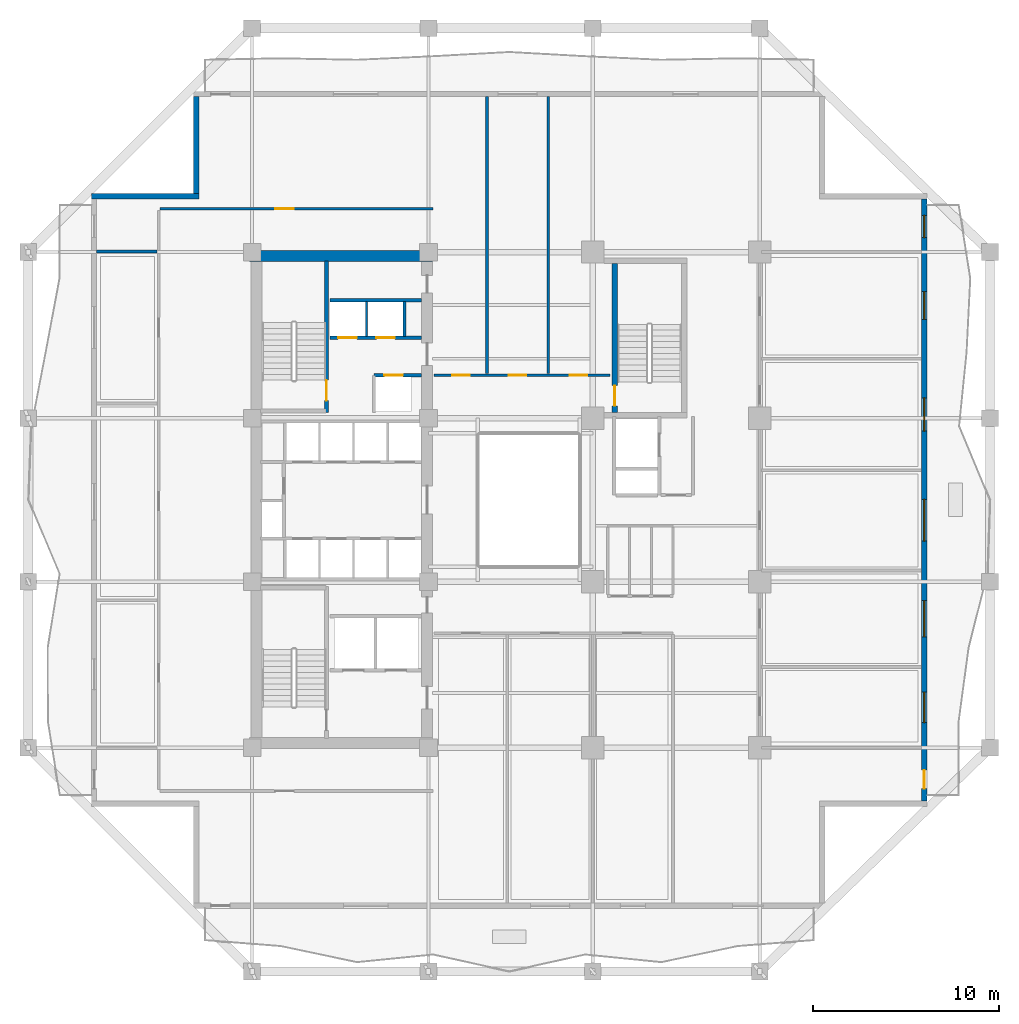
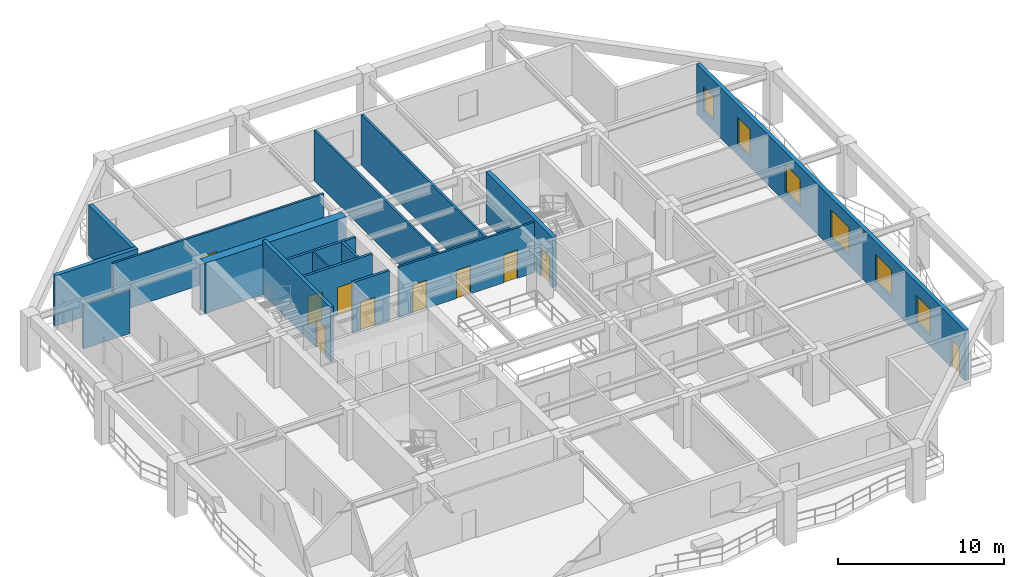
# One storey, part 5 of 13: 16 walls, 10 doors, 6 windows, 16 openings.
"""IFC4 building model written with IfcOpenShell, lengths in metres."""

from ifc_helpers import new_model, si_unit, direction, frame, frame_2d, origin, place, context, subcontext, project, spatial, rectangle, extrude, material, layer, layer_set, type_object, element, fill, save


model = new_model("IFC4")

# Units and contexts
model_context = context("Model", 3, precision=1e-05, world=origin(), true_north=direction((0.0, 1.0)))
body_context = subcontext(model_context, "Body", "Model", "MODEL_VIEW")
ifc_project = project(units=[si_unit("LENGTHUNIT", "METRE"), si_unit("AREAUNIT", "SQUARE_METRE"), si_unit("VOLUMEUNIT", "CUBIC_METRE"), si_unit("PLANEANGLEUNIT", "RADIAN"), si_unit("MASSUNIT", "GRAM", prefix="KILO")], contexts=[model_context])

# Site, building, storey
site_placement = place(None, origin())
site = spatial("IfcSite", under=ifc_project, at=site_placement, CompositionType="ELEMENT")
building_placement = place(site_placement, origin())
building = spatial("IfcBuilding", under=site, at=building_placement, Name="Kundavana Baori Tower", CompositionType="ELEMENT")
storey_placement = place(building_placement, frame((0.0, 0.0, 54.0)))
storey = spatial("IfcBuildingStorey", under=building, at=storey_placement, Name="L12", CompositionType="ELEMENT", Elevation=54.0)

# Wall, opening, door
ifc_material_1 = material(Name="Concrete C50/60", Category="concrete")
ifc_layer_1 = layer(ifc_material_1, 0.39990234375, Name="WL-CORE-400")
ifc_layer_set_1 = layer_set([ifc_layer_1], Name="Concrete C50/60")
wall_type_1 = type_object("IfcWallType", Name="WL-CORE-400", PredefinedType="SHEAR", material=ifc_layer_set_1)
wall_1_placement = place(storey_placement, frame((19.4599609375, 33.300048828125, 0.0), z_axis=(0.0, 0.0, 1.0), x_axis=(0.0, 1.0, 0.0)))
wall_1 = element("IfcWall", 1, at=wall_1_placement, inside=storey, type_object=wall_type_1, Name="WL-L12-ST2-E", PredefinedType="SHEAR", context=body_context, shape_type="SweptSolid", body=[
    extrude(rectangle(XDim=8.179931640625, YDim=0.239990234375, at=frame_2d((4.08984375, 0.0))), origin(), (0.0, 0.0, 1.0), 4.0),
])
opening_1_placement = place(wall_1_placement, frame((0.64990234375, 0.0, 0.0)))
opening_1 = element("IfcOpeningElement", 2, at=opening_1_placement, cuts=wall_1, Name="Opening FD-110", PredefinedType="OPENING", context=body_context, shape_type="SweptSolid", body=[
    extrude(rectangle(XDim=1.10009765625, YDim=2.10009765625, at=frame_2d((0.550048828125, 1.050048828125))), frame((0.0, 0.1298828125, 0.0), z_axis=(0.0, -1.0, 0.0), x_axis=(1.0, 0.0, 0.0)), (0.0, 0.0, 1.0), 0.260009765625),
])
ifc_material_2 = material(Name="Galvanised Steel Fire-Rated Door Leaf", Category="steel")
door_type_1 = type_object("IfcDoorType", Name="DR-FD120-1100", OperationType="NOTDEFINED", PredefinedType="DOOR", material=ifc_material_2)
door_1_placement = place(opening_1_placement, origin())
door_1 = element("IfcDoor", 3, at=door_1_placement, inside=storey, type_object=door_type_1, Name="DR-L12-ST2", OperationType="SINGLE_SWING_RIGHT", OverallHeight=2.10009765625, OverallWidth=1.10009765625, PredefinedType="DOOR", context=body_context, shape_type="SweptSolid", body=[
    extrude(rectangle(XDim=1.10009765625, YDim=2.10009765625, at=frame_2d((0.550048828125, 1.050048828125))), frame((0.0, 0.02490234375, 0.0), z_axis=(0.0, -1.0, 0.0), x_axis=(1.0, 0.0, 0.0)), (0.0, 0.0, 1.0), 0.050048828125),
])
fill(opening_1, door_1)

# Wall
ifc_material_3 = material(Name="Concrete C60/75", Category="concrete")
ifc_layer_2 = layer(ifc_material_3, 0.60009765625, Name="WL-CORE-600")
ifc_layer_set_2 = layer_set([ifc_layer_2], Name="Concrete C60/75")
wall_type_2 = type_object("IfcWallType", Name="WL-CORE-600", PredefinedType="SHEAR", material=ifc_layer_set_2)
wall_2_placement = place(storey_placement, frame((15.300048828125, 41.739990234375, 0.0), z_axis=(0.0, 0.0, 1.0), x_axis=(1.0, 0.0, 0.0)))
element("IfcWall", 4, at=wall_2_placement, inside=storey, type_object=wall_type_2, Name="L12 Offset Core North Shear Wall", PredefinedType="SHEAR", context=body_context, shape_type="SweptSolid", body=[
    extrude(rectangle(XDim=9.8798828125, YDim=0.60009765625, at=frame_2d((4.93994140625, 0.0))), origin(), (0.0, 0.0, 1.0), 3.719970703125),
])

# Wall, openings, door, windows
ifc_material_4 = material(Name="Red-Buff Dholpur Sandstone Cladding on Concrete C40/50", Category="masonry")
ifc_layer_3 = layer(ifc_material_4, 0.280029296875, Name="WL-EXT-SAND-280")
ifc_layer_set_3 = layer_set([ifc_layer_3], Name="Red-Buff Dholpur Sandstone Cladding on Concrete C40/50")
wall_type_3 = type_object("IfcWallType", Name="WL-EXT-SAND-280", PredefinedType="STANDARD", material=ifc_layer_set_3)
wall_3_placement = place(storey_placement, frame((51.659912109375, 12.3798828125, 0.0), z_axis=(0.0, 0.0, 1.0), x_axis=(0.0, 1.0, 0.0)))
wall_3 = element("IfcWall", 5, at=wall_3_placement, inside=storey, type_object=wall_type_3, Name="L12 Exterior Insulated Facade Wall 04", PredefinedType="STANDARD", context=body_context, shape_type="SweptSolid", body=[
    extrude(rectangle(XDim=32.440185546875, YDim=0.280029296875, at=frame_2d((16.22021484375, 0.0))), origin(), (0.0, 0.0, 1.0), 3.719970703125),
])
opening_2_placement = place(wall_3_placement, frame((0.669921875, 0.0, 0.0)))
opening_2 = element("IfcOpeningElement", 6, at=opening_2_placement, cuts=wall_3, Name="Opening BD-1", PredefinedType="OPENING", context=body_context, shape_type="SweptSolid", body=[
    extrude(rectangle(XDim=1.0, YDim=2.050048828125, at=frame_2d((0.5, 1.02490234375))), frame((0.0, 0.14990234375, 0.0), z_axis=(0.0, -1.0, 0.0), x_axis=(1.0, 0.0, 0.0)), (0.0, 0.0, 1.0), 0.300048828125),
])
opening_3_placement = place(wall_3_placement, frame((4.219970703125, 0.0, 0.800048828125)))
opening_3 = element("IfcOpeningElement", 7, at=opening_3_placement, cuts=wall_3, Name="Opening W-08", PredefinedType="OPENING", context=body_context, shape_type="SweptSolid", body=[
    extrude(rectangle(XDim=1.64990234375, YDim=1.949951171875, at=frame_2d((0.824951171875, 0.97509765625))), frame((0.0, 0.14990234375, 0.0), z_axis=(0.0, -1.0, 0.0), x_axis=(1.0, 0.0, 0.0)), (0.0, 0.0, 1.0), 0.300048828125),
])
opening_4_placement = place(wall_3_placement, frame((8.844970703125, 0.0, 0.800048828125)))
opening_4 = element("IfcOpeningElement", 8, at=opening_4_placement, cuts=wall_3, Name="Opening W-09", PredefinedType="OPENING", context=body_context, shape_type="SweptSolid", body=[
    extrude(rectangle(XDim=1.949951171875, YDim=2.0, at=frame_2d((0.97509765625, 1.0))), frame((0.0, 0.14990234375, 0.0), z_axis=(0.0, -1.0, 0.0), x_axis=(1.0, 0.0, 0.0)), (0.0, 0.0, 1.0), 0.300048828125),
])
opening_5_placement = place(wall_3_placement, frame((13.9951171875, 0.0, 0.800048828125)))
opening_5 = element("IfcOpeningElement", 9, at=opening_5_placement, cuts=wall_3, Name="Opening W-10", PredefinedType="OPENING", context=body_context, shape_type="SweptSolid", body=[
    extrude(rectangle(XDim=2.25, YDim=2.0, at=frame_2d((1.125, 1.0))), frame((0.0, 0.14990234375, 0.0), z_axis=(0.0, -1.0, 0.0), x_axis=(1.0, 0.0, 0.0)), (0.0, 0.0, 1.0), 0.300048828125),
])
opening_6_placement = place(wall_3_placement, frame((19.919921875, 0.0, 0.800048828125)))
opening_6 = element("IfcOpeningElement", 10, at=opening_6_placement, cuts=wall_3, Name="Opening W-01", PredefinedType="OPENING", context=body_context, shape_type="SweptSolid", body=[
    extrude(rectangle(XDim=1.800048828125, YDim=2.0, at=frame_2d((0.89990234375, 1.0))), frame((0.0, 0.14990234375, 0.0), z_axis=(0.0, -1.0, 0.0), x_axis=(1.0, 0.0, 0.0)), (0.0, 0.0, 1.0), 0.300048828125),
])
opening_7_placement = place(wall_3_placement, frame((25.945068359375, 0.0, 0.800048828125)))
opening_7 = element("IfcOpeningElement", 11, at=opening_7_placement, cuts=wall_3, Name="Opening W-02", PredefinedType="OPENING", context=body_context, shape_type="SweptSolid", body=[
    extrude(rectangle(XDim=1.5, YDim=2.0, at=frame_2d((0.75, 1.0))), frame((0.0, 0.14990234375, 0.0), z_axis=(0.0, -1.0, 0.0), x_axis=(1.0, 0.0, 0.0)), (0.0, 0.0, 1.0), 0.300048828125),
])
opening_8_placement = place(wall_3_placement, frame((30.35009765625, 0.0, 0.800048828125)))
opening_8 = element("IfcOpeningElement", 12, at=opening_8_placement, cuts=wall_3, Name="Opening W-03", PredefinedType="OPENING", context=body_context, shape_type="SweptSolid", body=[
    extrude(rectangle(XDim=1.199951171875, YDim=1.75, at=frame_2d((0.60009765625, 0.875))), frame((0.0, 0.14990234375, 0.0), z_axis=(0.0, -1.0, 0.0), x_axis=(1.0, 0.0, 0.0)), (0.0, 0.0, 1.0), 0.300048828125),
])
ifc_material_5 = material(Name="Architectural Patinated Bronze Metalwork")
door_type_2 = type_object("IfcDoorType", Name="DR-EXT-LOG-1000", OperationType="NOTDEFINED", PredefinedType="DOOR", material=ifc_material_5)
door_2_placement = place(opening_2_placement, frame((1.0, 0.0, 0.0), z_axis=(0.0, 0.0, 1.0), x_axis=(-1.0, 0.0, 0.0)))
door_2 = element("IfcDoor", 13, at=door_2_placement, inside=storey, type_object=door_type_2, Name="L12 Loggia Balcony Access Door E", OperationType="SINGLE_SWING_RIGHT", OverallHeight=2.050048828125, OverallWidth=1.0, PredefinedType="DOOR", context=body_context, shape_type="SweptSolid", body=[
    extrude(rectangle(XDim=1.0, YDim=2.050048828125, at=frame_2d((0.5, 1.02490234375))), frame((0.0, 0.02490234375, 0.0), z_axis=(0.0, -1.0, 0.0), x_axis=(1.0, 0.0, 0.0)), (0.0, 0.0, 1.0), 0.050048828125),
])
fill(opening_2, door_2)
ifc_material_6 = material(Name="Double-Glazed Solar-Control Low-E Insulated Glass", Category="glass")
window_type_1 = type_object("IfcWindowType", Name="WIN-LOG-1200x1750", PartitioningType="SINGLE_PANEL", PredefinedType="WINDOW", material=ifc_material_6)
window_1_placement = place(opening_8_placement, origin())
window_1 = element("IfcWindow", 14, at=window_1_placement, inside=storey, type_object=window_type_1, Name="L12 Recessed Loggia Window E-7", OverallHeight=1.75, OverallWidth=1.199951171875, PartitioningType="SINGLE_PANEL", PredefinedType="WINDOW", context=body_context, shape_type="SweptSolid", body=[
    extrude(rectangle(XDim=1.199951171875, YDim=1.75, at=frame_2d((0.60009765625, 0.875))), frame((0.0, 0.030029296875, 0.0), z_axis=(0.0, -1.0, 0.0), x_axis=(1.0, 0.0, 0.0)), (0.0, 0.0, 1.0), 0.06005859375),
])
fill(opening_8, window_1)
ifc_material_7 = material(Name="Double-Glazed Solar-Control Low-E Insulated Glass", Category="glass")
window_type_2 = type_object("IfcWindowType", Name="WIN-LOG-1500x2000", PartitioningType="SINGLE_PANEL", PredefinedType="WINDOW", material=ifc_material_7)
window_2_placement = place(opening_7_placement, origin())
window_2 = element("IfcWindow", 15, at=window_2_placement, inside=storey, type_object=window_type_2, Name="L12 Recessed Loggia Window E-6", OverallHeight=2.0, OverallWidth=1.5, PartitioningType="SINGLE_PANEL", PredefinedType="WINDOW", context=body_context, shape_type="SweptSolid", body=[
    extrude(rectangle(XDim=1.5, YDim=2.0, at=frame_2d((0.75, 1.0))), frame((0.0, 0.030029296875, 0.0), z_axis=(0.0, -1.0, 0.0), x_axis=(1.0, 0.0, 0.0)), (0.0, 0.0, 1.0), 0.06005859375),
])
fill(opening_7, window_2)
ifc_material_8 = material(Name="Double-Glazed Solar-Control Low-E Insulated Glass", Category="glass")
window_type_3 = type_object("IfcWindowType", Name="WIN-LOG-1650x1950", PartitioningType="SINGLE_PANEL", PredefinedType="WINDOW", material=ifc_material_8)
window_3_placement = place(opening_3_placement, origin())
window_3 = element("IfcWindow", 16, at=window_3_placement, inside=storey, type_object=window_type_3, Name="L12 Recessed Loggia Window E-2", OverallHeight=1.949951171875, OverallWidth=1.64990234375, PartitioningType="SINGLE_PANEL", PredefinedType="WINDOW", context=body_context, shape_type="SweptSolid", body=[
    extrude(rectangle(XDim=1.64990234375, YDim=1.949951171875, at=frame_2d((0.824951171875, 0.97509765625))), frame((0.0, 0.030029296875, 0.0), z_axis=(0.0, -1.0, 0.0), x_axis=(1.0, 0.0, 0.0)), (0.0, 0.0, 1.0), 0.06005859375),
])
fill(opening_3, window_3)
ifc_material_9 = material(Name="Double-Glazed Solar-Control Low-E Insulated Glass", Category="glass")
window_type_4 = type_object("IfcWindowType", Name="WIN-LOG-1800x2000", PartitioningType="SINGLE_PANEL", PredefinedType="WINDOW", material=ifc_material_9)
window_4_placement = place(opening_6_placement, origin())
window_4 = element("IfcWindow", 17, at=window_4_placement, inside=storey, type_object=window_type_4, Name="L12 Recessed Loggia Window E-5", OverallHeight=2.0, OverallWidth=1.800048828125, PartitioningType="SINGLE_PANEL", PredefinedType="WINDOW", context=body_context, shape_type="SweptSolid", body=[
    extrude(rectangle(XDim=1.800048828125, YDim=2.0, at=frame_2d((0.89990234375, 1.0))), frame((0.0, 0.030029296875, 0.0), z_axis=(0.0, -1.0, 0.0), x_axis=(1.0, 0.0, 0.0)), (0.0, 0.0, 1.0), 0.06005859375),
])
fill(opening_6, window_4)
ifc_material_10 = material(Name="Double-Glazed Solar-Control Low-E Insulated Glass", Category="glass")
window_type_5 = type_object("IfcWindowType", Name="WIN-LOG-1950x2000", PartitioningType="SINGLE_PANEL", PredefinedType="WINDOW", material=ifc_material_10)
window_5_placement = place(opening_4_placement, origin())
window_5 = element("IfcWindow", 18, at=window_5_placement, inside=storey, type_object=window_type_5, Name="L12 Recessed Loggia Window E-3", OverallHeight=2.0, OverallWidth=1.949951171875, PartitioningType="SINGLE_PANEL", PredefinedType="WINDOW", context=body_context, shape_type="SweptSolid", body=[
    extrude(rectangle(XDim=1.949951171875, YDim=2.0, at=frame_2d((0.97509765625, 1.0))), frame((0.0, 0.030029296875, 0.0), z_axis=(0.0, -1.0, 0.0), x_axis=(1.0, 0.0, 0.0)), (0.0, 0.0, 1.0), 0.06005859375),
])
fill(opening_4, window_5)
ifc_material_11 = material(Name="Double-Glazed Solar-Control Low-E Insulated Glass", Category="glass")
window_type_6 = type_object("IfcWindowType", Name="WIN-LOG-2250x2000", PartitioningType="SINGLE_PANEL", PredefinedType="WINDOW", material=ifc_material_11)
window_6_placement = place(opening_5_placement, origin())
window_6 = element("IfcWindow", 19, at=window_6_placement, inside=storey, type_object=window_type_6, Name="L12 Recessed Loggia Window E-4", OverallHeight=2.0, OverallWidth=2.25, PartitioningType="SINGLE_PANEL", PredefinedType="WINDOW", context=body_context, shape_type="SweptSolid", body=[
    extrude(rectangle(XDim=2.25, YDim=2.0, at=frame_2d((1.125, 1.0))), frame((0.0, 0.030029296875, 0.0), z_axis=(0.0, -1.0, 0.0), x_axis=(1.0, 0.0, 0.0)), (0.0, 0.0, 1.0), 0.06005859375),
])
fill(opening_5, window_6)

# Walls
wall_4_placement = place(storey_placement, frame((12.43994140625, 50.320068359375, 0.0), z_axis=(0.0, 0.0, 1.0), x_axis=(0.0, -1.0, 0.0)))
element("IfcWall", 20, at=wall_4_placement, inside=storey, type_object=wall_type_3, Name="L12 Exterior Insulated Facade Wall 08", PredefinedType="STANDARD", context=body_context, shape_type="SweptSolid", body=[
    extrude(rectangle(XDim=5.219970703125, YDim=0.280029296875, at=frame_2d((2.60986328125, 0.0))), origin(), (0.0, 0.0, 1.0), 3.719970703125),
])
wall_5_placement = place(storey_placement, frame((12.580078125, 44.9599609375, 0.0), z_axis=(0.0, 0.0, 1.0), x_axis=(-1.0, 0.0, 0.0)))
element("IfcWall", 21, at=wall_5_placement, inside=storey, type_object=wall_type_3, Name="L12 Exterior Insulated Facade Wall 09", PredefinedType="STANDARD", context=body_context, shape_type="SweptSolid", body=[
    extrude(rectangle(XDim=5.780029296875, YDim=0.280029296875, at=frame_2d((2.89013671875, 0.0))), origin(), (0.0, 0.0, 1.0), 3.719970703125),
])
ifc_material_12 = material(Name="Acoustic Gypsum Plasterboard on Galvanised Steel Studs", Category="steel")
ifc_layer_4 = layer(ifc_material_12, 0.1201171875, Name="WL-PART-120")
ifc_layer_set_4 = layer_set([ifc_layer_4], Name="Acoustic Gypsum Plasterboard on Galvanised Steel Studs")
wall_type_4 = type_object("IfcWallType", Name="WL-PART-120", PredefinedType="PARTITIONING", material=ifc_layer_set_4)
wall_6_placement = place(storey_placement, frame((21.6201171875, 37.39990234375, 0.0), z_axis=(0.0, 0.0, 1.0), x_axis=(0.0, 1.0, 0.0)))
element("IfcWall", 22, at=wall_6_placement, inside=storey, type_object=wall_type_4, Name="WL-L12-HR-DIV1", PredefinedType="PARTITIONING", context=body_context, shape_type="SweptSolid", body=[
    extrude(rectangle(XDim=1.900146484375, YDim=0.1201171875, at=frame_2d((0.9501953125, 0.0))), origin(), (0.0, 0.0, 1.0), 3.719970703125),
])

# Wall, openings, doors
ifc_material_13 = material(Name="Fire-Rated Gypsum Drywall on Galvanised Steel Studs", Category="steel")
ifc_layer_5 = layer(ifc_material_13, 0.14990234375, Name="WL-PART-150")
ifc_layer_set_5 = layer_set([ifc_layer_5], Name="Fire-Rated Gypsum Drywall on Galvanised Steel Studs")
wall_type_5 = type_object("IfcWallType", Name="WL-PART-150", PredefinedType="PARTITIONING", material=ifc_layer_set_5)
wall_7_placement = place(storey_placement, frame((25.25, 35.320068359375, 0.0), z_axis=(0.0, 0.0, 1.0), x_axis=(1.0, 0.0, 0.0)))
wall_7 = element("IfcWall", 23, at=wall_7_placement, inside=storey, type_object=wall_type_5, Name="WL-L12-OFN", PredefinedType="PARTITIONING", context=body_context, shape_type="SweptSolid", body=[
    extrude(rectangle(XDim=9.469970703125, YDim=0.14990234375, at=frame_2d((4.73486328125, 0.0))), origin(), (0.0, 0.0, 1.0), 3.719970703125),
])
opening_9_placement = place(wall_7_placement, frame((0.97509765625, 0.0, 0.0)))
opening_9 = element("IfcOpeningElement", 24, at=opening_9_placement, cuts=wall_7, Name="Opening ID-095", PredefinedType="OPENING", context=body_context, shape_type="SweptSolid", body=[
    extrude(rectangle(XDim=0.949951171875, YDim=2.080078125, at=frame_2d((0.47509765625, 1.0400390625))), frame((0.0, 0.0849609375, 0.0), z_axis=(0.0, -1.0, 0.0), x_axis=(1.0, 0.0, 0.0)), (0.0, 0.0, 1.0), 0.169921875),
])
opening_10_placement = place(wall_7_placement, frame((4.02490234375, 0.0, 0.0)))
opening_10 = element("IfcOpeningElement", 25, at=opening_10_placement, cuts=wall_7, Name="Opening ID-095", PredefinedType="OPENING", context=body_context, shape_type="SweptSolid", body=[
    extrude(rectangle(XDim=0.949951171875, YDim=2.080078125, at=frame_2d((0.47509765625, 1.0400390625))), frame((0.0, 0.0849609375, 0.0), z_axis=(0.0, -1.0, 0.0), x_axis=(1.0, 0.0, 0.0)), (0.0, 0.0, 1.0), 0.169921875),
])
opening_11_placement = place(wall_7_placement, frame((7.31494140625, 0.0, 0.0)))
opening_11 = element("IfcOpeningElement", 26, at=opening_11_placement, cuts=wall_7, Name="Opening ID-095", PredefinedType="OPENING", context=body_context, shape_type="SweptSolid", body=[
    extrude(rectangle(XDim=0.949951171875, YDim=2.080078125, at=frame_2d((0.47509765625, 1.0400390625))), frame((0.0, 0.0849609375, 0.0), z_axis=(0.0, -1.0, 0.0), x_axis=(1.0, 0.0, 0.0)), (0.0, 0.0, 1.0), 0.169921875),
])
ifc_material_14 = material(Name="Engineered Teak Solid-Core Timber Veneer", Category="wood")
door_type_3 = type_object("IfcDoorType", Name="DR-INT-950", OperationType="NOTDEFINED", PredefinedType="DOOR", material=ifc_material_14)
door_3_placement = place(opening_9_placement, origin())
door_3 = element("IfcDoor", 27, at=door_3_placement, inside=storey, type_object=door_type_3, Name="DR-L12-OFN1", OperationType="SINGLE_SWING_LEFT", OverallHeight=2.080078125, OverallWidth=0.949951171875, PredefinedType="DOOR", context=body_context, shape_type="SweptSolid", body=[
    extrude(rectangle(XDim=0.949951171875, YDim=2.080078125, at=frame_2d((0.47509765625, 1.0400390625))), frame((0.0, 0.02490234375, 0.0), z_axis=(0.0, -1.0, 0.0), x_axis=(1.0, 0.0, 0.0)), (0.0, 0.0, 1.0), 0.050048828125),
])
fill(opening_9, door_3)
door_4_placement = place(opening_10_placement, origin())
door_4 = element("IfcDoor", 28, at=door_4_placement, inside=storey, type_object=door_type_3, Name="DR-L12-OFN2", OperationType="SINGLE_SWING_LEFT", OverallHeight=2.080078125, OverallWidth=0.949951171875, PredefinedType="DOOR", context=body_context, shape_type="SweptSolid", body=[
    extrude(rectangle(XDim=0.949951171875, YDim=2.080078125, at=frame_2d((0.47509765625, 1.0400390625))), frame((0.0, 0.02490234375, 0.0), z_axis=(0.0, -1.0, 0.0), x_axis=(1.0, 0.0, 0.0)), (0.0, 0.0, 1.0), 0.050048828125),
])
fill(opening_10, door_4)
door_5_placement = place(opening_11_placement, origin())
door_5 = element("IfcDoor", 29, at=door_5_placement, inside=storey, type_object=door_type_3, Name="DR-L12-OFN3", OperationType="SINGLE_SWING_LEFT", OverallHeight=2.080078125, OverallWidth=0.949951171875, PredefinedType="DOOR", context=body_context, shape_type="SweptSolid", body=[
    extrude(rectangle(XDim=0.949951171875, YDim=2.080078125, at=frame_2d((0.47509765625, 1.0400390625))), frame((0.0, 0.02490234375, 0.0), z_axis=(0.0, -1.0, 0.0), x_axis=(1.0, 0.0, 0.0)), (0.0, 0.0, 1.0), 0.050048828125),
])
fill(opening_11, door_5)

# Wall
wall_8_placement = place(storey_placement, frame((7.080078125, 41.97998046875, 0.0), z_axis=(0.0, 0.0, 1.0), x_axis=(1.0, 0.0, 0.0)))
element("IfcWall", 30, at=wall_8_placement, inside=storey, type_object=wall_type_5, Name="WL-L12-OWN", PredefinedType="PARTITIONING", context=body_context, shape_type="SweptSolid", body=[
    extrude(rectangle(XDim=3.260009765625, YDim=0.14990234375, at=frame_2d((1.6298828125, 0.0))), origin(), (0.0, 0.0, 1.0), 3.219970703125),
])

# Wall, opening, door
wall_9_placement = place(storey_placement, frame((10.5, 44.280029296875, 0.0), z_axis=(0.0, 0.0, 1.0), x_axis=(1.0, 0.0, 0.0)))
wall_9 = element("IfcWall", 31, at=wall_9_placement, inside=storey, type_object=wall_type_5, Name="WL-L12-ONC", PredefinedType="PARTITIONING", context=body_context, shape_type="SweptSolid", body=[
    extrude(rectangle(XDim=14.699951171875, YDim=0.14990234375, at=frame_2d((7.35009765625, 0.0))), origin(), (0.0, 0.0, 1.0), 3.719970703125),
])
opening_12_placement = place(wall_9_placement, frame((6.199951171875, 0.0, 0.0)))
opening_12 = element("IfcOpeningElement", 32, at=opening_12_placement, cuts=wall_9, Name="Opening ID-100", PredefinedType="OPENING", context=body_context, shape_type="SweptSolid", body=[
    extrude(rectangle(XDim=1.0, YDim=2.080078125, at=frame_2d((0.5, 1.0400390625))), frame((0.0, 0.0849609375, 0.0), z_axis=(0.0, -1.0, 0.0), x_axis=(1.0, 0.0, 0.0)), (0.0, 0.0, 1.0), 0.169921875),
])
ifc_material_15 = material(Name="Engineered Teak Solid-Core Timber Veneer", Category="wood")
door_type_4 = type_object("IfcDoorType", Name="DR-INT-1000", OperationType="NOTDEFINED", PredefinedType="DOOR", material=ifc_material_15)
door_6_placement = place(opening_12_placement, origin())
door_6 = element("IfcDoor", 33, at=door_6_placement, inside=storey, type_object=door_type_4, Name="DR-L12-ONWC", OperationType="SINGLE_SWING_RIGHT", OverallHeight=2.080078125, OverallWidth=1.0, PredefinedType="DOOR", context=body_context, shape_type="SweptSolid", body=[
    extrude(rectangle(XDim=1.0, YDim=2.080078125, at=frame_2d((0.5, 1.0400390625))), frame((0.0, 0.02490234375, 0.0), z_axis=(0.0, -1.0, 0.0), x_axis=(1.0, 0.0, 0.0)), (0.0, 0.0, 1.0), 0.050048828125),
])
fill(opening_12, door_6)

# Walls
for number, where, z_axis, x_axis, name in (
    (34, (28.10009765625, 35.39990234375, 0.0), (0.0, 0.0, 1.0), (0.0, 1.0, 0.0), "WL-L12-ND1"),
    (35, (31.39990234375, 35.39990234375, 0.0), (0.0, 0.0, 1.0), (0.0, 1.0, 0.0), "WL-L12-ND2"),
):
    element("IfcWall", number, at=place(storey_placement, frame(where, z_axis=z_axis, x_axis=x_axis)), inside=storey, type_object=wall_type_5, Name=name, PredefinedType="PARTITIONING", context=body_context, shape_type="SweptSolid", body=[
        extrude(rectangle(XDim=14.920166015625, YDim=0.14990234375, at=frame_2d((7.4599609375, 0.0))), origin(), (0.0, 0.0, 1.0), 3.719970703125),
    ])

# Wall, opening, door
ifc_material_16 = material(Name="Autoclaved Aerated Concrete Blockwork Masonry", Category="masonry")
ifc_layer_6 = layer(ifc_material_16, 0.179931640625, Name="WL-SHAFT-180")
ifc_layer_set_6 = layer_set([ifc_layer_6], Name="Autoclaved Aerated Concrete Blockwork Masonry")
wall_type_6 = type_object("IfcWallType", Name="WL-SHAFT-180", PredefinedType="SOLIDWALL", material=ifc_layer_set_6)
wall_10_placement = place(storey_placement, frame((22.02001953125, 35.31005859375, 0.0), z_axis=(0.0, 0.0, 1.0), x_axis=(1.0, 0.0, 0.0)))
wall_10 = element("IfcWall", 36, at=wall_10_placement, inside=storey, type_object=wall_type_6, Name="WL-L12-LP11-N", PredefinedType="SOLIDWALL", context=body_context, shape_type="SweptSolid", body=[
    extrude(rectangle(XDim=2.56005859375, YDim=0.179931640625, at=frame_2d((1.280029296875, 0.0))), origin(), (0.0, 0.0, 1.0), 3.719970703125),
])
opening_13_placement = place(wall_10_placement, frame((0.550048828125, 0.0, 0.0)))
opening_13 = element("IfcOpeningElement", 37, at=opening_13_placement, cuts=wall_10, Name="Opening LD-100", PredefinedType="OPENING", context=body_context, shape_type="SweptSolid", body=[
    extrude(rectangle(XDim=1.0, YDim=2.10009765625, at=frame_2d((0.5, 1.050048828125))), frame((0.0, 0.10009765625, 0.0), z_axis=(0.0, -1.0, 0.0), x_axis=(1.0, 0.0, 0.0)), (0.0, 0.0, 1.0), 0.199951171875),
])
ifc_material_17 = material(Name="Galvanised Steel Fire-Rated Door Leaf", Category="steel")
door_type_5 = type_object("IfcDoorType", Name="DR-SLIDE-LD1000", OperationType="NOTDEFINED", PredefinedType="DOOR", material=ifc_material_17)
door_7_placement = place(opening_13_placement, origin())
door_7 = element("IfcDoor", 38, at=door_7_placement, inside=storey, type_object=door_type_5, Name="DR-L12-LD-LP11", OperationType="DOUBLE_DOOR_SLIDING", OverallHeight=2.10009765625, OverallWidth=1.0, PredefinedType="DOOR", context=body_context, shape_type="SweptSolid", body=[
    extrude(rectangle(XDim=1.0, YDim=2.10009765625, at=frame_2d((0.5, 1.050048828125))), frame((0.0, 0.02490234375, 0.0), z_axis=(0.0, -1.0, 0.0), x_axis=(1.0, 0.0, 0.0)), (0.0, 0.0, 1.0), 0.050048828125),
])
fill(opening_13, door_7)

# Wall, openings, doors
wall_11_placement = place(storey_placement, frame((19.639892578125, 37.340087890625, 0.0), z_axis=(0.0, 0.0, 1.0), x_axis=(1.0, 0.0, 0.0)))
wall_11 = element("IfcWall", 39, at=wall_11_placement, inside=storey, type_object=wall_type_6, Name="WL-L12-HRLOB-N", PredefinedType="SOLIDWALL", context=body_context, shape_type="SweptSolid", body=[
    extrude(rectangle(XDim=4.940185546875, YDim=0.179931640625, at=frame_2d((2.47021484375, 0.0))), origin(), (0.0, 0.0, 1.0), 3.719970703125),
])
opening_14_placement = place(wall_11_placement, frame((0.449951171875, 0.0, 0.0)))
opening_14 = element("IfcOpeningElement", 40, at=opening_14_placement, cuts=wall_11, Name="Opening LD-100", PredefinedType="OPENING", context=body_context, shape_type="SweptSolid", body=[
    extrude(rectangle(XDim=1.0, YDim=2.10009765625, at=frame_2d((0.5, 1.050048828125))), frame((0.0, 0.10009765625, 0.0), z_axis=(0.0, -1.0, 0.0), x_axis=(1.0, 0.0, 0.0)), (0.0, 0.0, 1.0), 0.199951171875),
])
opening_15_placement = place(wall_11_placement, frame((2.5, 0.0, 0.0)))
opening_15 = element("IfcOpeningElement", 41, at=opening_15_placement, cuts=wall_11, Name="Opening LD-100", PredefinedType="OPENING", context=body_context, shape_type="SweptSolid", body=[
    extrude(rectangle(XDim=1.0, YDim=2.10009765625, at=frame_2d((0.5, 1.050048828125))), frame((0.0, 0.10009765625, 0.0), z_axis=(0.0, -1.0, 0.0), x_axis=(1.0, 0.0, 0.0)), (0.0, 0.0, 1.0), 0.199951171875),
])
door_8_placement = place(opening_14_placement, frame((1.0, 0.0, 0.0), z_axis=(0.0, 0.0, 1.0), x_axis=(-1.0, 0.0, 0.0)))
door_8 = element("IfcDoor", 42, at=door_8_placement, inside=storey, type_object=door_type_5, Name="DR-L12-LD-LP09", OperationType="DOUBLE_DOOR_SLIDING", OverallHeight=2.10009765625, OverallWidth=1.0, PredefinedType="DOOR", context=body_context, shape_type="SweptSolid", body=[
    extrude(rectangle(XDim=1.0, YDim=2.10009765625, at=frame_2d((0.5, 1.050048828125))), frame((0.0, 0.02490234375, 0.0), z_axis=(0.0, -1.0, 0.0), x_axis=(1.0, 0.0, 0.0)), (0.0, 0.0, 1.0), 0.050048828125),
])
fill(opening_14, door_8)
door_9_placement = place(opening_15_placement, frame((1.0, 0.0, 0.0), z_axis=(0.0, 0.0, 1.0), x_axis=(-1.0, 0.0, 0.0)))
door_9 = element("IfcDoor", 43, at=door_9_placement, inside=storey, type_object=door_type_5, Name="DR-L12-LD-LP10", OperationType="DOUBLE_DOOR_SLIDING", OverallHeight=2.10009765625, OverallWidth=1.0, PredefinedType="DOOR", context=body_context, shape_type="SweptSolid", body=[
    extrude(rectangle(XDim=1.0, YDim=2.10009765625, at=frame_2d((0.5, 1.050048828125))), frame((0.0, 0.02490234375, 0.0), z_axis=(0.0, -1.0, 0.0), x_axis=(1.0, 0.0, 0.0)), (0.0, 0.0, 1.0), 0.050048828125),
])
fill(opening_15, door_9)

# Walls
wall_12_placement = place(storey_placement, frame((19.639892578125, 39.360107421875, 0.0), z_axis=(0.0, 0.0, 1.0), x_axis=(1.0, 0.0, 0.0)))
element("IfcWall", 44, at=wall_12_placement, inside=storey, type_object=wall_type_6, Name="WL-L12-HRLOB-TOP", PredefinedType="SOLIDWALL", context=body_context, shape_type="SweptSolid", body=[
    extrude(rectangle(XDim=4.940185546875, YDim=0.179931640625, at=frame_2d((2.47021484375, 0.0))), origin(), (0.0, 0.0, 1.0), 3.719970703125),
])
wall_13_placement = place(storey_placement, frame((23.659912109375, 37.39990234375, 0.0), z_axis=(0.0, 0.0, 1.0), x_axis=(0.0, 1.0, 0.0)))
element("IfcWall", 45, at=wall_13_placement, inside=storey, type_object=wall_type_6, Name="WL-L12-HR-DIV2", PredefinedType="SOLIDWALL", context=body_context, shape_type="SweptSolid", body=[
    extrude(rectangle(XDim=1.900146484375, YDim=0.179931640625, at=frame_2d((0.9501953125, 0.0))), origin(), (0.0, 0.0, 1.0), 3.719970703125),
])

# Wall, opening, door
ifc_material_18 = material(Name="Concrete C50/60", Category="concrete")
ifc_layer_7 = layer(ifc_material_18, 0.300048828125, Name="WL-ST3-300")
ifc_layer_set_7 = layer_set([ifc_layer_7], Name="Concrete C50/60")
wall_type_7 = type_object("IfcWallType", Name="WL-ST3-300", PredefinedType="SHEAR", material=ifc_layer_set_7)
wall_14_placement = place(storey_placement, frame((34.97998046875, 33.31005859375, 0.0), z_axis=(0.0, 0.0, 1.0), x_axis=(0.0, 1.0, 0.0)))
wall_14 = element("IfcWall", 46, at=wall_14_placement, inside=storey, type_object=wall_type_7, Name="L12 Stair ST3 West Shear Wall", PredefinedType="SHEAR", context=body_context, shape_type="SweptSolid", body=[
    extrude(rectangle(XDim=8.030029296875, YDim=0.300048828125, at=frame_2d((4.01513671875, 0.0))), origin(), (0.0, 0.0, 1.0), 3.719970703125),
])
opening_16_placement = place(wall_14_placement, frame((0.35009765625, 0.0, 0.0)))
opening_16 = element("IfcOpeningElement", 47, at=opening_16_placement, cuts=wall_14, Name="Opening FD-110", PredefinedType="OPENING", context=body_context, shape_type="SweptSolid", body=[
    extrude(rectangle(XDim=1.10009765625, YDim=2.10009765625, at=frame_2d((0.550048828125, 1.050048828125))), frame((0.0, 0.16015625, 0.0), z_axis=(0.0, -1.0, 0.0), x_axis=(1.0, 0.0, 0.0)), (0.0, 0.0, 1.0), 0.320068359375),
])
door_10_placement = place(opening_16_placement, origin())
door_10 = element("IfcDoor", 48, at=door_10_placement, inside=storey, type_object=door_type_1, Name="DR-L12-ST3-W", OperationType="SINGLE_SWING_LEFT", OverallHeight=2.10009765625, OverallWidth=1.10009765625, PredefinedType="DOOR", context=body_context, shape_type="SweptSolid", body=[
    extrude(rectangle(XDim=1.10009765625, YDim=2.10009765625, at=frame_2d((0.550048828125, 1.050048828125))), frame((0.0, 0.02490234375, 0.0), z_axis=(0.0, -1.0, 0.0), x_axis=(1.0, 0.0, 0.0)), (0.0, 0.0, 1.0), 0.050048828125),
])
fill(opening_16, door_10)

save(model, "model.ifc")
